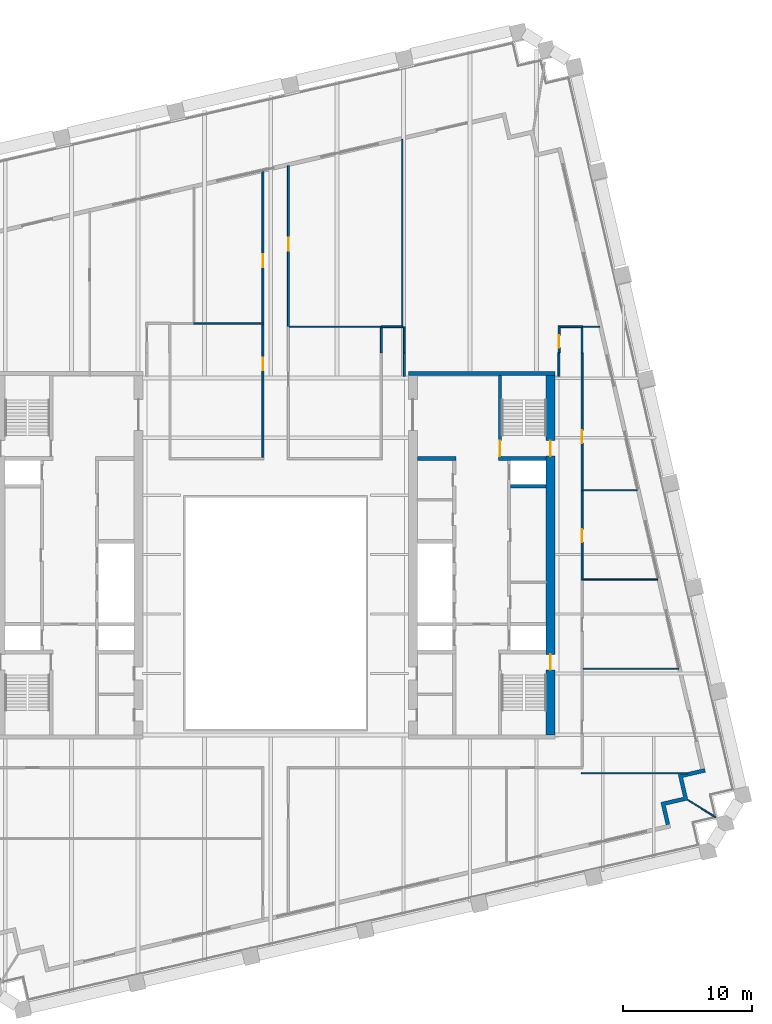
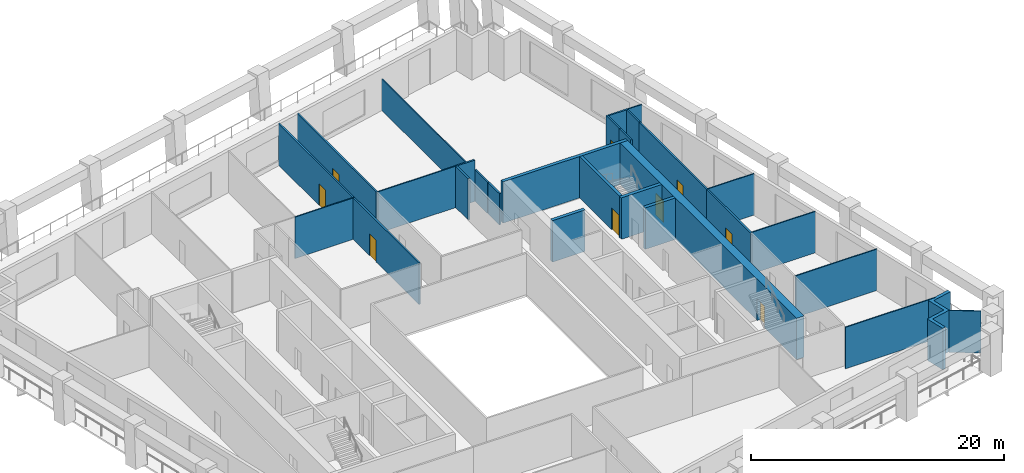
# One storey, part 7 of 10: 29 walls, 9 doors, 9 openings.
"""IFC4 building model written with IfcOpenShell, lengths in metres."""

from ifc_helpers import new_model, si_unit, direction, frame, frame_2d, origin, place, context, subcontext, project, spatial, polyline, rectangle, outline, extrude, material, layer, layer_set, type_object, element, fill, save


model = new_model("IFC4")

# Units and contexts
model_context = context("Model", 3, precision=1e-05, world=origin(), true_north=direction((0.0, 1.0)))
body_context = subcontext(model_context, "Body", "Model", "MODEL_VIEW")
ifc_project = project(units=[si_unit("LENGTHUNIT", "METRE"), si_unit("AREAUNIT", "SQUARE_METRE"), si_unit("VOLUMEUNIT", "CUBIC_METRE"), si_unit("PLANEANGLEUNIT", "RADIAN"), si_unit("MASSUNIT", "GRAM", prefix="KILO")], contexts=[model_context])

# Site, building, storey
site_placement = place(None, origin())
site = spatial("IfcSite", under=ifc_project, at=site_placement, CompositionType="ELEMENT")
building_placement = place(site_placement, origin())
building = spatial("IfcBuilding", under=site, at=building_placement, Name="Ogive Exchange Tower", CompositionType="ELEMENT")
storey_placement = place(building_placement, frame((0.0, 0.0, 205.199951171875)))
storey = spatial("IfcBuildingStorey", under=building, at=storey_placement, Name="L45", CompositionType="ELEMENT", Elevation=205.199951171875)

# Wall
ifc_material_1 = material(Name="Gypsum board partition")
ifc_layer_1 = layer(ifc_material_1, 0.300048828125)
ifc_layer_set_1 = layer_set([ifc_layer_1], Name="Core room partition 300 gypsum")
wall_type_1 = type_object("IfcWallType", Name="Core room partition 300 gypsum", PredefinedType="PARTITIONING", material=ifc_layer_set_1)
wall_1_placement = place(storey_placement, frame((11.0, 19.0, 0.0), z_axis=(0.0, 0.0, 1.0), x_axis=(1.0, 0.0, 0.0)))
element("IfcWall", 1, at=wall_1_placement, inside=storey, type_object=wall_type_1, Name="E row B room end wall 7", PredefinedType="PARTITIONING", context=body_context, shape_type="SweptSolid", body=[
    extrude(rectangle(XDim=3.0, YDim=0.300048828125, at=frame_2d((1.5, 0.0))), origin(), (0.0, 0.0, 1.0), 4.0),
])

# Wall, opening, door
ifc_material_2 = material(Name="Fire partition EI 60 150")
ifc_layer_2 = layer(ifc_material_2, 0.14990234375)
ifc_layer_set_2 = layer_set([ifc_layer_2], Name="Fire partition EI 60 150")
wall_type_2 = type_object("IfcWallType", Name="Fire partition EI 60 150", PredefinedType="PARTITIONING", material=ifc_layer_set_2)
wall_2_placement = place(storey_placement, frame((-0.989990234375, 19.074951171875, 0.0), z_axis=(0.0, 0.0, 1.0), x_axis=(0.0, 1.0, 0.0)))
wall_2 = element("IfcWall", 2, at=wall_2_placement, inside=storey, type_object=wall_type_2, Name="L45-PWL-027", PredefinedType="PARTITIONING", context=body_context, shape_type="SweptSolid", body=[
    extrude(rectangle(XDim=10.375, YDim=0.14990234375, at=frame_2d((5.1875, 0.0))), origin(), (0.0, 0.0, 1.0), 4.0),
])
opening_1_placement = place(wall_2_placement, frame((6.77490234375, 0.0, 0.0)))
opening_1 = element("IfcOpeningElement", 3, at=opening_1_placement, cuts=wall_2, Name="Opening L45-I02", PredefinedType="OPENING", context=body_context, shape_type="SweptSolid", body=[
    extrude(rectangle(XDim=1.0, YDim=2.10009765625, at=frame_2d((0.5, 1.050048828125))), frame((0.0, 0.0849609375, 0.0), z_axis=(0.0, -1.0, 0.0), x_axis=(1.0, 0.0, 0.0)), (0.0, 0.0, 1.0), 0.169921875),
])
ifc_material_3 = material(Name="Fire door FD 30S 1000 x 2100")
door_type_1 = type_object("IfcDoorType", Name="Fire door FD 30S 1000 x 2100", OperationType="NOTDEFINED", PredefinedType="DOOR", material=ifc_material_3)
door_1_placement = place(opening_1_placement, origin())
door_1 = element("IfcDoor", 4, at=door_1_placement, inside=storey, type_object=door_type_1, Name="L45-IDR-002", ObjectType="DT3", OperationType="SINGLE_SWING_LEFT", OverallHeight=2.10009765625, OverallWidth=1.0, PredefinedType="DOOR", context=body_context, shape_type="SweptSolid", body=[
    extrude(rectangle(XDim=1.0, YDim=2.10009765625, at=frame_2d((0.5, 1.050048828125))), frame((0.0, 0.02490234375, 0.0), z_axis=(0.0, -1.0, 0.0), x_axis=(1.0, 0.0, 0.0)), (0.0, 0.0, 1.0), 0.050048828125),
])
fill(opening_1, door_1)

wall_3_placement = place(storey_placement, frame((-0.989990234375, 29.550048828125, 0.0), z_axis=(0.0, 0.0, 1.0), x_axis=(0.0, 1.0, 0.0)))
wall_3 = element("IfcWall", 5, at=wall_3_placement, inside=storey, type_object=wall_type_2, Name="L45-PWL-028", PredefinedType="PARTITIONING", context=body_context, shape_type="SweptSolid", body=[
    extrude(rectangle(XDim=11.745849609375, YDim=0.14990234375, at=frame_2d((5.873046875, 0.0))), origin(), (0.0, 0.0, 1.0), 4.0),
])
opening_2_placement = place(wall_3_placement, frame((4.320068359375, 0.0, 0.0)))
opening_2 = element("IfcOpeningElement", 6, at=opening_2_placement, cuts=wall_3, Name="Opening L45-I04", PredefinedType="OPENING", context=body_context, shape_type="SweptSolid", body=[
    extrude(rectangle(XDim=1.0, YDim=2.10009765625, at=frame_2d((0.5, 1.050048828125))), frame((0.0, 0.0849609375, 0.0), z_axis=(0.0, -1.0, 0.0), x_axis=(1.0, 0.0, 0.0)), (0.0, 0.0, 1.0), 0.169921875),
])
door_2_placement = place(opening_2_placement, origin())
door_2 = element("IfcDoor", 7, at=door_2_placement, inside=storey, type_object=door_type_1, Name="L45-IDR-004", ObjectType="DT3", OperationType="SINGLE_SWING_RIGHT", OverallHeight=2.10009765625, OverallWidth=1.0, PredefinedType="DOOR", context=body_context, shape_type="SweptSolid", body=[
    extrude(rectangle(XDim=1.0, YDim=2.10009765625, at=frame_2d((0.5, 1.050048828125))), frame((0.0, 0.02490234375, 0.0), z_axis=(0.0, -1.0, 0.0), x_axis=(1.0, 0.0, 0.0)), (0.0, 0.0, 1.0), 0.050048828125),
])
fill(opening_2, door_2)

wall_4_placement = place(storey_placement, frame((0.989990234375, 41.7529296875, 0.0), z_axis=(0.0, 0.0, 1.0), x_axis=(0.0, -1.0, 0.0)))
wall_4 = element("IfcWall", 8, at=wall_4_placement, inside=storey, type_object=wall_type_2, Name="L45-PWL-033", PredefinedType="PARTITIONING", context=body_context, shape_type="SweptSolid", body=[
    extrude(rectangle(XDim=12.512939453125, YDim=0.14990234375, at=frame_2d((6.25634765625, 0.0))), origin(), (0.0, 0.0, 1.0), 4.0),
])
opening_3_placement = place(wall_4_placement, frame((5.613037109375, 0.0, 0.0)))
opening_3 = element("IfcOpeningElement", 9, at=opening_3_placement, cuts=wall_4, Name="Opening L45-I16", PredefinedType="OPENING", context=body_context, shape_type="SweptSolid", body=[
    extrude(rectangle(XDim=1.0, YDim=2.10009765625, at=frame_2d((0.5, 1.050048828125))), frame((0.0, 0.0849609375, 0.0), z_axis=(0.0, -1.0, 0.0), x_axis=(1.0, 0.0, 0.0)), (0.0, 0.0, 1.0), 0.169921875),
])
door_3_placement = place(opening_3_placement, origin())
door_3 = element("IfcDoor", 10, at=door_3_placement, inside=storey, type_object=door_type_1, Name="L45-IDR-016", ObjectType="DT3", OperationType="SINGLE_SWING_LEFT", OverallHeight=2.10009765625, OverallWidth=1.0, PredefinedType="DOOR", context=body_context, shape_type="SweptSolid", body=[
    extrude(rectangle(XDim=1.0, YDim=2.10009765625, at=frame_2d((0.5, 1.050048828125))), frame((0.0, 0.02490234375, 0.0), z_axis=(0.0, -1.0, 0.0), x_axis=(1.0, 0.0, 0.0)), (0.0, 0.0, 1.0), 0.050048828125),
])
fill(opening_3, door_3)

# Walls
wall_5_placement = place(storey_placement, frame((8.2099609375, 27.199951171875, 0.0), z_axis=(0.0, 0.0, 1.0), x_axis=(0.0, 1.0, 0.0)))
element("IfcWall", 11, at=wall_5_placement, inside=storey, type_object=wall_type_2, Name="L45-PWL-035", PredefinedType="PARTITIONING", context=body_context, shape_type="SweptSolid", body=[
    extrude(rectangle(XDim=1.989990234375, YDim=0.14990234375, at=frame_2d((0.9951171875, 0.0))), origin(), (0.0, 0.0, 1.0), 4.0),
])
wall_6_placement = place(storey_placement, frame((8.2099609375, 29.239990234375, 0.0), z_axis=(0.0, 0.0, 1.0), x_axis=(1.0, 0.0, 0.0)))
element("IfcWall", 12, at=wall_6_placement, inside=storey, type_object=wall_type_2, Name="L45-PWL-036", PredefinedType="PARTITIONING", context=body_context, shape_type="SweptSolid", body=[
    extrude(rectangle(XDim=1.669921875, YDim=0.14990234375, at=frame_2d((0.8349609375, 0.0))), origin(), (0.0, 0.0, 1.0), 4.0),
])
wall_7_placement = place(storey_placement, frame((9.989990234375, 29.239990234375, 0.0), z_axis=(0.0, 0.0, 1.0), x_axis=(0.0, -1.0, 0.0)))
element("IfcWall", 13, at=wall_7_placement, inside=storey, type_object=wall_type_2, Name="L45-PWL-038", PredefinedType="PARTITIONING", context=body_context, shape_type="SweptSolid", body=[
    extrude(rectangle(XDim=2.0400390625, YDim=0.14990234375, at=frame_2d((1.02001953125, 0.0))), origin(), (0.0, 0.0, 1.0), 3.02001953125),
])
wall_8_placement = place(storey_placement, frame((10.0, 27.199951171875, 0.0), z_axis=(0.0, 0.0, 1.0), x_axis=(0.0, -1.0, 0.0)))
element("IfcWall", 14, at=wall_8_placement, inside=storey, type_object=wall_type_2, Name="L45-PWL-040", PredefinedType="PARTITIONING", context=body_context, shape_type="SweptSolid", body=[
    extrude(rectangle(XDim=1.81005859375, YDim=0.14990234375, at=frame_2d((0.905029296875, 0.0))), origin(), (0.0, 0.0, 1.0), 3.02001953125),
])
wall_9_placement = place(storey_placement, frame((22.0, 25.389892578125, 0.0), z_axis=(0.0, 0.0, 1.0), x_axis=(0.0, 1.0, 0.0)))
element("IfcWall", 15, at=wall_9_placement, inside=storey, type_object=wall_type_2, Name="L45-PWL-043", PredefinedType="PARTITIONING", context=body_context, shape_type="SweptSolid", body=[
    extrude(rectangle(XDim=1.81005859375, YDim=0.14990234375, at=frame_2d((0.905029296875, 0.0))), origin(), (0.0, 0.0, 1.0), 4.0),
])

# Wall, opening, door
wall_10_placement = place(storey_placement, frame((22.010009765625, 27.199951171875, 0.0), z_axis=(0.0, 0.0, 1.0), x_axis=(0.0, 1.0, 0.0)))
wall_10 = element("IfcWall", 16, at=wall_10_placement, inside=storey, type_object=wall_type_2, Name="L45-PWL-044", PredefinedType="PARTITIONING", context=body_context, shape_type="SweptSolid", body=[
    extrude(rectangle(XDim=2.114990234375, YDim=0.14990234375, at=frame_2d((1.0576171875, 0.0))), origin(), (0.0, 0.0, 1.0), 4.0),
])
opening_4_placement = place(wall_10_placement, frame((0.389892578125, 0.0, 0.0)))
opening_4 = element("IfcOpeningElement", 17, at=opening_4_placement, cuts=wall_10, Name="Opening L45-I17", PredefinedType="OPENING", context=body_context, shape_type="SweptSolid", body=[
    extrude(rectangle(XDim=1.0, YDim=2.10009765625, at=frame_2d((0.5, 1.050048828125))), frame((0.0, 0.0849609375, 0.0), z_axis=(0.0, -1.0, 0.0), x_axis=(1.0, 0.0, 0.0)), (0.0, 0.0, 1.0), 0.169921875),
])
door_4_placement = place(opening_4_placement, origin())
door_4 = element("IfcDoor", 18, at=door_4_placement, inside=storey, type_object=door_type_1, Name="L45-IDR-017", ObjectType="DT3", OperationType="SINGLE_SWING_LEFT", OverallHeight=2.10009765625, OverallWidth=1.0, PredefinedType="DOOR", context=body_context, shape_type="SweptSolid", body=[
    extrude(rectangle(XDim=1.0, YDim=2.10009765625, at=frame_2d((0.5, 1.050048828125))), frame((0.0, 0.02490234375, 0.0), z_axis=(0.0, -1.0, 0.0), x_axis=(1.0, 0.0, 0.0)), (0.0, 0.0, 1.0), 0.050048828125),
])
fill(opening_4, door_4)

# Walls
wall_11_placement = place(storey_placement, frame((22.0849609375, 29.239990234375, 0.0), z_axis=(0.0, 0.0, 1.0), x_axis=(1.0, 0.0, 0.0)))
element("IfcWall", 19, at=wall_11_placement, inside=storey, type_object=wall_type_2, Name="L45-PWL-045", PredefinedType="PARTITIONING", context=body_context, shape_type="SweptSolid", body=[
    extrude(rectangle(XDim=1.780029296875, YDim=0.14990234375, at=frame_2d((0.89013671875, 0.0))), origin(), (0.0, 0.0, 1.0), 4.0),
])
wall_12_placement = place(storey_placement, frame((23.7900390625, 29.1650390625, 0.0), z_axis=(0.0, 0.0, 1.0), x_axis=(0.0, -1.0, 0.0)))
element("IfcWall", 20, at=wall_12_placement, inside=storey, type_object=wall_type_2, Name="L45-PWL-048", PredefinedType="PARTITIONING", context=body_context, shape_type="SweptSolid", body=[
    extrude(rectangle(XDim=1.965087890625, YDim=0.14990234375, at=frame_2d((0.982421875, 0.0))), origin(), (0.0, 0.0, 1.0), 4.0),
])

# Wall, opening, door
wall_13_placement = place(storey_placement, frame((23.800048828125, 16.5, 0.0), z_axis=(0.0, 0.0, 1.0), x_axis=(0.0, -1.0, 0.0)))
wall_13 = element("IfcWall", 21, at=wall_13_placement, inside=storey, type_object=wall_type_2, Name="L45-PWL-052", PredefinedType="PARTITIONING", context=body_context, shape_type="SweptSolid", body=[
    extrude(rectangle(XDim=6.929931640625, YDim=0.14990234375, at=frame_2d((3.46484375, 0.0))), origin(), (0.0, 0.0, 1.0), 4.0),
])
opening_5_placement = place(wall_13_placement, frame((2.97998046875, 0.0, 0.0)))
opening_5 = element("IfcOpeningElement", 22, at=opening_5_placement, cuts=wall_13, Name="Opening L45-I11", PredefinedType="OPENING", context=body_context, shape_type="SweptSolid", body=[
    extrude(rectangle(XDim=1.0, YDim=2.10009765625, at=frame_2d((0.5, 1.050048828125))), frame((0.0, 0.0849609375, 0.0), z_axis=(0.0, -1.0, 0.0), x_axis=(1.0, 0.0, 0.0)), (0.0, 0.0, 1.0), 0.169921875),
])
door_5_placement = place(opening_5_placement, origin())
door_5 = element("IfcDoor", 23, at=door_5_placement, inside=storey, type_object=door_type_1, Name="L45-IDR-011", ObjectType="DT3", OperationType="SINGLE_SWING_RIGHT", OverallHeight=2.10009765625, OverallWidth=1.0, PredefinedType="DOOR", context=body_context, shape_type="SweptSolid", body=[
    extrude(rectangle(XDim=1.0, YDim=2.10009765625, at=frame_2d((0.5, 1.050048828125))), frame((0.0, 0.02490234375, 0.0), z_axis=(0.0, -1.0, 0.0), x_axis=(1.0, 0.0, 0.0)), (0.0, 0.0, 1.0), 0.050048828125),
])
fill(opening_5, door_5)

wall_14_placement = place(storey_placement, frame((23.800048828125, 27.199951171875, 0.0), z_axis=(0.0, 0.0, 1.0), x_axis=(0.0, -1.0, 0.0)))
wall_14 = element("IfcWall", 24, at=wall_14_placement, inside=storey, type_object=wall_type_2, Name="L45-PWL-053", PredefinedType="PARTITIONING", context=body_context, shape_type="SweptSolid", body=[
    extrude(rectangle(XDim=10.699951171875, YDim=0.14990234375, at=frame_2d((5.35009765625, 0.0))), origin(), (0.0, 0.0, 1.0), 4.0),
])
opening_6_placement = place(wall_14_placement, frame((6.0, 0.0, 0.0)))
opening_6 = element("IfcOpeningElement", 25, at=opening_6_placement, cuts=wall_14, Name="Opening L45-I10", PredefinedType="OPENING", context=body_context, shape_type="SweptSolid", body=[
    extrude(rectangle(XDim=1.0, YDim=2.10009765625, at=frame_2d((0.5, 1.050048828125))), frame((0.0, 0.0849609375, 0.0), z_axis=(0.0, -1.0, 0.0), x_axis=(1.0, 0.0, 0.0)), (0.0, 0.0, 1.0), 0.169921875),
])
door_6_placement = place(opening_6_placement, origin())
door_6 = element("IfcDoor", 26, at=door_6_placement, inside=storey, type_object=door_type_1, Name="L45-IDR-010", ObjectType="DT3", OperationType="SINGLE_SWING_LEFT", OverallHeight=2.10009765625, OverallWidth=1.0, PredefinedType="DOOR", context=body_context, shape_type="SweptSolid", body=[
    extrude(rectangle(XDim=1.0, YDim=2.10009765625, at=frame_2d((0.5, 1.050048828125))), frame((0.0, 0.02490234375, 0.0), z_axis=(0.0, -1.0, 0.0), x_axis=(1.0, 0.0, 0.0)), (0.0, 0.0, 1.0), 0.050048828125),
])
fill(opening_6, door_6)

# Walls
ifc_material_4 = material(Name="Precast concrete C40/50", Category="concrete")
ifc_layer_3 = layer(ifc_material_4, 0.300048828125)
ifc_layer_set_3 = layer_set([ifc_layer_3], Name="Limestone-faced wall 300")
wall_type_3 = type_object("IfcWallType", Name="Limestone-faced wall 300", PredefinedType="STANDARD", material=ifc_layer_set_3)
wall_15_placement = place(storey_placement, origin())
element("IfcWall", 27, at=wall_15_placement, inside=storey, type_object=wall_type_3, Name="External corner wall C1", PredefinedType="STANDARD", context=body_context, shape_type="SweptSolid", body=[
    extrude(outline(polyline([(31.662109375, -7.28466796875), (31.257080078125, -5.53076171875), (33.30322265625, -5.058349609375), (33.370849609375, -5.3505859375), (31.616943359375, -5.755615234375), (32.02197265625, -7.509521484375), (30.26806640625, -7.914306640625), (30.60546875, -9.3759765625), (30.31298828125, -9.443359375), (29.908203125, -7.689697265625), (31.662109375, -7.28466796875)])), origin(), (0.0, 0.0, 1.0), 4.0),
])
ifc_material_5 = material(Name="Laminated safety glass in steel frame", Category="steel")
ifc_layer_4 = layer(ifc_material_5, 0.10009765625)
ifc_layer_set_4 = layer_set([ifc_layer_4], Name="Loggia end screen 100")
wall_type_4 = type_object("IfcWallType", Name="Loggia end screen 100", PredefinedType="STANDARD", material=ifc_layer_set_4)
wall_16_placement = place(storey_placement, frame((32.02197265625, -7.509521484375, -0.050048828125), z_axis=(0.0, 0.0, 1.0), x_axis=(0.848047176257, -0.529920736377, 0.0)))
element("IfcWall", 28, at=wall_16_placement, inside=storey, type_object=wall_type_4, Name="Loggia end screen C1", PredefinedType="STANDARD", context=body_context, shape_type="SweptSolid", body=[
    extrude(rectangle(XDim=2.525634765625, YDim=0.10009765625, at=frame_2d((1.2626953125, 0.0))), origin(), (0.0, 0.0, 1.0), 4.050048828125),
])
ifc_material_6 = material(Name="Partition 100 gypsum")
ifc_layer_5 = layer(ifc_material_6, 0.10009765625)
ifc_layer_set_5 = layer_set([ifc_layer_5], Name="Partition 100 gypsum")
wall_type_5 = type_object("IfcWallType", Name="Partition 100 gypsum", PredefinedType="PARTITIONING", material=ifc_layer_set_5)
wall_17_placement = place(storey_placement, frame((-6.389892578125, 29.5, 0.0), z_axis=(0.0, 0.0, 1.0), x_axis=(1.0, 0.0, 0.0)))
element("IfcWall", 29, at=wall_17_placement, inside=storey, type_object=wall_type_5, Name="L45-PWL-021", PredefinedType="PARTITIONING", context=body_context, shape_type="SweptSolid", body=[
    extrude(rectangle(XDim=5.474853515625, YDim=0.10009765625, at=frame_2d((2.7373046875, 0.0))), origin(), (0.0, 0.0, 1.0), 4.0),
])
wall_18_placement = place(storey_placement, frame((1.06494140625, 29.239990234375, 0.0), z_axis=(0.0, 0.0, 1.0), x_axis=(1.0, 0.0, 0.0)))
element("IfcWall", 30, at=wall_18_placement, inside=storey, type_object=wall_type_5, Name="L45-PWL-032", PredefinedType="PARTITIONING", context=body_context, shape_type="SweptSolid", body=[
    extrude(rectangle(XDim=7.14501953125, YDim=0.10009765625, at=frame_2d((3.572509765625, 0.0))), origin(), (0.0, 0.0, 1.0), 4.0),
])
wall_19_placement = place(storey_placement, frame((9.830078125, 43.7939453125, 0.0), z_axis=(0.0, 0.0, 1.0), x_axis=(0.0, -1.0, 0.0)))
element("IfcWall", 31, at=wall_19_placement, inside=storey, type_object=wall_type_5, Name="L45-PWL-037", PredefinedType="PARTITIONING", context=body_context, shape_type="SweptSolid", body=[
    extrude(rectangle(XDim=14.47900390625, YDim=0.10009765625, at=frame_2d((7.239501953125, 0.0))), origin(), (0.0, 0.0, 1.0), 3.02001953125),
])
wall_20_placement = place(storey_placement, frame((23.739990234375, -5.419921875, 0.0), z_axis=(0.0, 0.0, 1.0), x_axis=(1.0, 0.0, 0.0)))
element("IfcWall", 32, at=wall_20_placement, inside=storey, type_object=wall_type_5, Name="L45-PWL-046", PredefinedType="PARTITIONING", context=body_context, shape_type="SweptSolid", body=[
    extrude(rectangle(XDim=8.241943359375, YDim=0.10009765625, at=frame_2d((4.12109375, 0.0))), origin(), (0.0, 0.0, 1.0), 4.0),
])
wall_21_placement = place(storey_placement, frame((23.864990234375, 29.239990234375, 0.0), z_axis=(0.0, 0.0, 1.0), x_axis=(1.0, 0.0, 0.0)))
element("IfcWall", 33, at=wall_21_placement, inside=storey, type_object=wall_type_5, Name="L45-PWL-049", PredefinedType="PARTITIONING", context=body_context, shape_type="SweptSolid", body=[
    extrude(rectangle(XDim=1.294921875, YDim=0.10009765625, at=frame_2d((0.6474609375, 0.0))), origin(), (0.0, 0.0, 1.0), 4.0),
])
wall_22_placement = place(storey_placement, frame((28.089111328125, 16.550048828125, 0.0), z_axis=(0.0, 0.0, 1.0), x_axis=(-1.0, 0.0, 0.0)))
element("IfcWall", 34, at=wall_22_placement, inside=storey, type_object=wall_type_5, Name="L45-PWL-054", PredefinedType="PARTITIONING", context=body_context, shape_type="SweptSolid", body=[
    extrude(rectangle(XDim=4.214111328125, YDim=0.10009765625, at=frame_2d((2.10693359375, 0.0))), origin(), (0.0, 0.0, 1.0), 4.0),
])
wall_23_placement = place(storey_placement, frame((29.68896484375, 9.6201171875, 0.0), z_axis=(0.0, 0.0, 1.0), x_axis=(-1.0, 0.0, 0.0)))
element("IfcWall", 35, at=wall_23_placement, inside=storey, type_object=wall_type_5, Name="L45-PWL-055", PredefinedType="PARTITIONING", context=body_context, shape_type="SweptSolid", body=[
    extrude(rectangle(XDim=5.81396484375, YDim=0.10009765625, at=frame_2d((2.906982421875, 0.0))), origin(), (0.0, 0.0, 1.0), 4.0),
])
wall_24_placement = place(storey_placement, frame((31.2890625, 2.68994140625, 0.0), z_axis=(0.0, 0.0, 1.0), x_axis=(-1.0, 0.0, 0.0)))
element("IfcWall", 36, at=wall_24_placement, inside=storey, type_object=wall_type_5, Name="L45-PWL-056", PredefinedType="PARTITIONING", context=body_context, shape_type="SweptSolid", body=[
    extrude(rectangle(XDim=7.4140625, YDim=0.10009765625, at=frame_2d((3.70703125, 0.0))), origin(), (0.0, 0.0, 1.0), 4.0),
])

# Wall, opening, door
ifc_material_7 = material(Name="Concrete C70/85", Category="concrete")
ifc_layer_6 = layer(ifc_material_7, 0.25)
ifc_layer_set_6 = layer_set([ifc_layer_6], Name="RC core wall 250 C70/85")
wall_type_6 = type_object("IfcWallType", Name="RC core wall 250 C70/85", PredefinedType="SHEAR", material=ifc_layer_set_6)
wall_25_placement = place(storey_placement, frame((17.425048828125, 19.14990234375, 0.0), z_axis=(0.0, 0.0, 1.0), x_axis=(0.0, 1.0, 0.0)))
wall_25 = element("IfcWall", 37, at=wall_25_placement, inside=storey, type_object=wall_type_6, Name="E stair N front wall", PredefinedType="SHEAR", context=body_context, shape_type="SweptSolid", body=[
    extrude(rectangle(XDim=6.300048828125, YDim=0.25, at=frame_2d((3.14990234375, 0.0))), origin(), (0.0, 0.0, 1.0), 4.0),
])
opening_7_placement = place(wall_25_placement, frame((0.050048828125, 0.0, 0.0)))
opening_7 = element("IfcOpeningElement", 38, at=opening_7_placement, cuts=wall_25, Name="Opening L45-C31", PredefinedType="OPENING", context=body_context, shape_type="SweptSolid", body=[
    extrude(rectangle(XDim=1.199951171875, YDim=2.10009765625, at=frame_2d((0.60009765625, 1.050048828125))), frame((0.0, 0.135009765625, 0.0), z_axis=(0.0, -1.0, 0.0), x_axis=(1.0, 0.0, 0.0)), (0.0, 0.0, 1.0), 0.27001953125),
])
ifc_material_8 = material(Name="Steel fire door", Category="steel")
door_type_2 = type_object("IfcDoorType", Name="Stair door FD90 1200 x 2100", OperationType="NOTDEFINED", PredefinedType="DOOR", material=ifc_material_8)
door_7_placement = place(opening_7_placement, frame((1.199951171875, 0.0, 0.0), z_axis=(0.0, 0.0, 1.0), x_axis=(-1.0, 0.0, 0.0)))
door_7 = element("IfcDoor", 39, at=door_7_placement, inside=storey, type_object=door_type_2, Name="Stair door", ObjectType="CD5", OperationType="SINGLE_SWING_LEFT", OverallHeight=2.10009765625, OverallWidth=1.199951171875, PredefinedType="DOOR", context=body_context, shape_type="SweptSolid", body=[
    extrude(rectangle(XDim=1.199951171875, YDim=2.10009765625, at=frame_2d((0.60009765625, 1.050048828125))), frame((0.0, 0.02490234375, 0.0), z_axis=(0.0, -1.0, 0.0), x_axis=(1.0, 0.0, 0.0)), (0.0, 0.0, 1.0), 0.050048828125),
])
fill(opening_7, door_7)

# Walls
ifc_layer_7 = layer(ifc_material_7, 0.300048828125)
ifc_layer_set_7 = layer_set([ifc_layer_7], Name="RC core wall 300 C70/85")
wall_type_7 = type_object("IfcWallType", Name="RC core wall 300 C70/85", PredefinedType="SHEAR", material=ifc_layer_set_7)
wall_26_placement = place(storey_placement, frame((10.300048828125, 25.60009765625, 0.0), z_axis=(0.0, 0.0, 1.0), x_axis=(1.0, 0.0, 0.0)))
element("IfcWall", 40, at=wall_26_placement, inside=storey, type_object=wall_type_7, Name="E north end wall", PredefinedType="SHEAR", context=body_context, shape_type="SweptSolid", body=[
    extrude(rectangle(XDim=11.39990234375, YDim=0.300048828125, at=frame_2d((5.699951171875, 0.0))), origin(), (0.0, 0.0, 1.0), 4.0),
])
wall_27_placement = place(storey_placement, frame((17.300048828125, 19.0, 0.0), z_axis=(0.0, 0.0, 1.0), x_axis=(1.0, 0.0, 0.0)))
element("IfcWall", 41, at=wall_27_placement, inside=storey, type_object=wall_type_7, Name="E stair N south wall", PredefinedType="SHEAR", context=body_context, shape_type="SweptSolid", body=[
    extrude(rectangle(XDim=3.699951171875, YDim=0.300048828125, at=frame_2d((1.85009765625, 0.0))), origin(), (0.0, 0.0, 1.0), 4.0),
])
wall_28_placement = place(storey_placement, frame((18.25, 16.857177734375, 0.0), z_axis=(0.0, 0.0, 1.0), x_axis=(1.0, 0.0, 0.0)))
element("IfcWall", 42, at=wall_28_placement, inside=storey, type_object=wall_type_7, Name="E row A divider 6", PredefinedType="SHEAR", context=body_context, shape_type="SweptSolid", body=[
    extrude(rectangle(XDim=2.75, YDim=0.300048828125, at=frame_2d((1.375, 0.0))), origin(), (0.0, 0.0, 1.0), 4.0),
])

# Wall, openings, doors
ifc_layer_8 = layer(ifc_material_7, 0.699951171875)
ifc_layer_set_8 = layer_set([ifc_layer_8], Name="RC core wall 700 C70/85")
wall_type_8 = type_object("IfcWallType", Name="RC core wall 700 C70/85", PredefinedType="SHEAR", material=ifc_layer_set_8)
wall_29_placement = place(storey_placement, frame((21.35009765625, -2.449951171875, 0.0), z_axis=(0.0, 0.0, 1.0), x_axis=(0.0, 1.0, 0.0)))
wall_29 = element("IfcWall", 43, at=wall_29_placement, inside=storey, type_object=wall_type_8, Name="E outer wall", PredefinedType="SHEAR", context=body_context, shape_type="SweptSolid", body=[
    extrude(rectangle(XDim=27.89990234375, YDim=0.699951171875, at=frame_2d((13.949951171875, 0.0))), origin(), (0.0, 0.0, 1.0), 4.0),
])
opening_8_placement = place(wall_29_placement, frame((5.050048828125, 0.0, 0.0)))
opening_8 = element("IfcOpeningElement", 44, at=opening_8_placement, cuts=wall_29, Name="Opening L45-C30", PredefinedType="OPENING", context=body_context, shape_type="SweptSolid", body=[
    extrude(rectangle(XDim=1.199951171875, YDim=2.10009765625, at=frame_2d((0.60009765625, 1.050048828125))), frame((0.0, 0.35986328125, 0.0), z_axis=(0.0, -1.0, 0.0), x_axis=(1.0, 0.0, 0.0)), (0.0, 0.0, 1.0), 0.719970703125),
])
opening_9_placement = place(wall_29_placement, frame((21.64990234375, 0.0, 0.0)))
opening_9 = element("IfcOpeningElement", 45, at=opening_9_placement, cuts=wall_29, Name="Opening L45-C32", PredefinedType="OPENING", context=body_context, shape_type="SweptSolid", body=[
    extrude(rectangle(XDim=1.199951171875, YDim=2.10009765625, at=frame_2d((0.60009765625, 1.050048828125))), frame((0.0, 0.35986328125, 0.0), z_axis=(0.0, -1.0, 0.0), x_axis=(1.0, 0.0, 0.0)), (0.0, 0.0, 1.0), 0.719970703125),
])
door_8_placement = place(opening_8_placement, origin())
door_8 = element("IfcDoor", 46, at=door_8_placement, inside=storey, type_object=door_type_2, Name="Stair door", ObjectType="CD5", OperationType="SINGLE_SWING_LEFT", OverallHeight=2.10009765625, OverallWidth=1.199951171875, PredefinedType="DOOR", context=body_context, shape_type="SweptSolid", body=[
    extrude(rectangle(XDim=1.199951171875, YDim=2.10009765625, at=frame_2d((0.60009765625, 1.050048828125))), frame((0.0, 0.02490234375, 0.0), z_axis=(0.0, -1.0, 0.0), x_axis=(1.0, 0.0, 0.0)), (0.0, 0.0, 1.0), 0.050048828125),
])
fill(opening_8, door_8)
door_9_placement = place(opening_9_placement, origin())
door_9 = element("IfcDoor", 47, at=door_9_placement, inside=storey, type_object=door_type_2, Name="Stair door", ObjectType="CD5", OperationType="SINGLE_SWING_RIGHT", OverallHeight=2.10009765625, OverallWidth=1.199951171875, PredefinedType="DOOR", context=body_context, shape_type="SweptSolid", body=[
    extrude(rectangle(XDim=1.199951171875, YDim=2.10009765625, at=frame_2d((0.60009765625, 1.050048828125))), frame((0.0, 0.02490234375, 0.0), z_axis=(0.0, -1.0, 0.0), x_axis=(1.0, 0.0, 0.0)), (0.0, 0.0, 1.0), 0.050048828125),
])
fill(opening_9, door_9)

save(model, "model.ifc")
